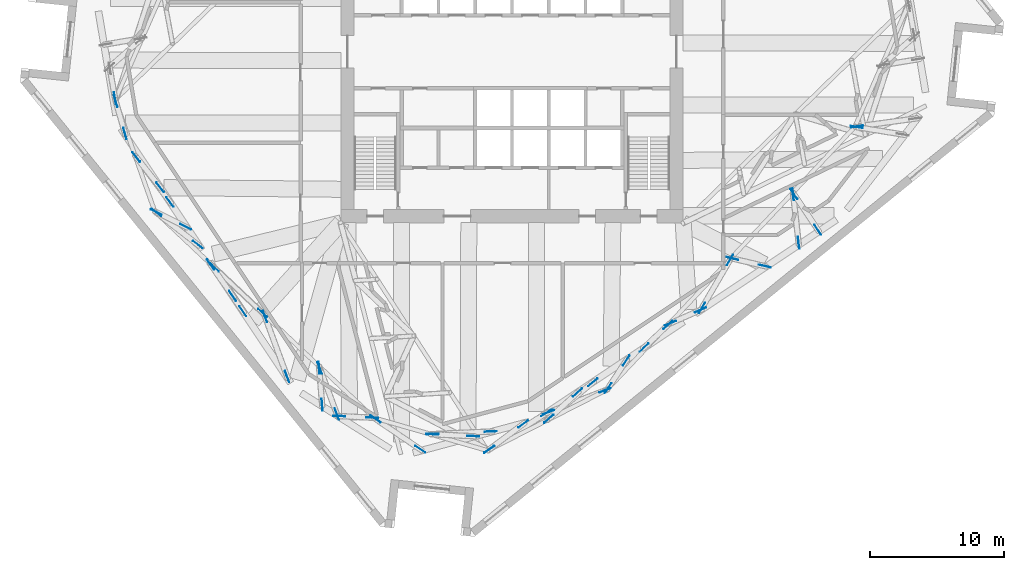
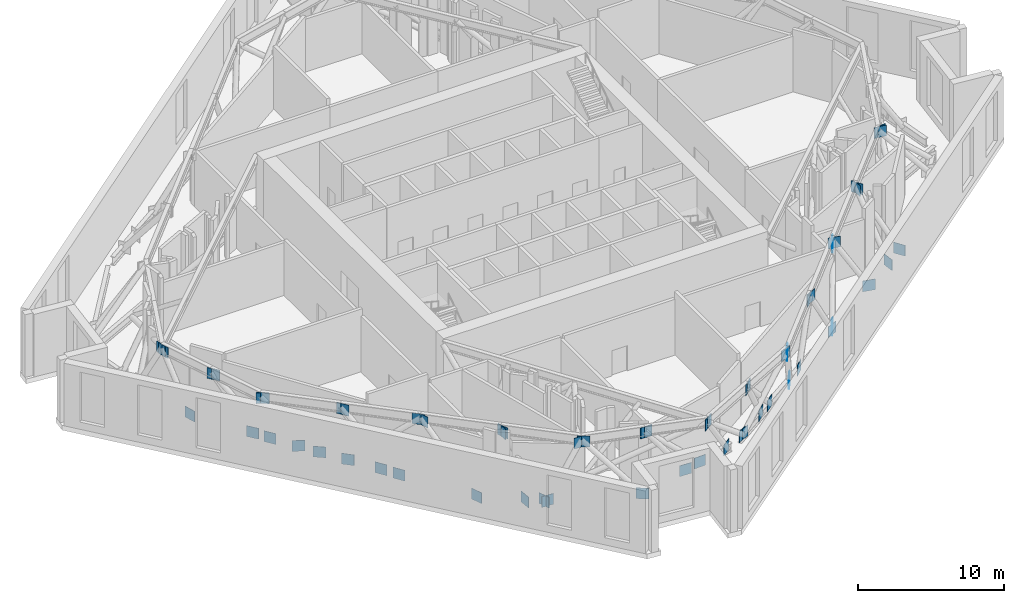
# One storey, part 13 of 17: 57 discrete accessories.
"""IFC4 building model written with IfcOpenShell, lengths in metres."""

from ifc_helpers import new_model, si_unit, direction, frame, origin, origin_2d, place, context, subcontext, project, spatial, rectangle, extrude, material, layer, layer_set, type_object, element, save


model = new_model("IFC4")

# Units and contexts
model_context = context("Model", 3, precision=1e-05, world=origin(), true_north=direction((0.0, 1.0)))
body_context = subcontext(model_context, "Body", "Model", "MODEL_VIEW")
ifc_project = project(units=[si_unit("LENGTHUNIT", "METRE"), si_unit("AREAUNIT", "SQUARE_METRE"), si_unit("VOLUMEUNIT", "CUBIC_METRE"), si_unit("PLANEANGLEUNIT", "RADIAN"), si_unit("MASSUNIT", "GRAM", prefix="KILO")], contexts=[model_context])

# Site, building, storey
site_placement = place(None, origin())
site = spatial("IfcSite", under=ifc_project, at=site_placement, CompositionType="ELEMENT")
building_placement = place(site_placement, origin())
building = spatial("IfcBuilding", under=site, at=building_placement, Name="Dilmun Exchange Tower", CompositionType="ELEMENT")
storey_placement = place(building_placement, frame((0.0, 0.0, 183.699951171875)))
storey = spatial("IfcBuildingStorey", under=building, at=storey_placement, Name="L43", CompositionType="ELEMENT", Elevation=183.699951171875)

# Discrete accessories
ifc_material = material(Name="Steel S355J2", Category="steel")
ifc_layer = layer(ifc_material, 0.034912109375)
ifc_layer_set = layer_set([ifc_layer], Name="Steel S355J2")
discrete_accessory_type = type_object("IfcDiscreteAccessoryType", Name="Gusset plate 35 x 900 x 900", PredefinedType="BRACKET", material=ifc_layer_set)
for number, where, z_axis, x_axis, name in (
    (1, (-29.62646484375, -3.695556640625, 4.171630859375), (0.0, 0.0, 1.0), (0.275872228128, -0.961194316331, 0.0), "Gusset plate L43-DG17 end 1"),
    (2, (-28.932373046875, -6.11376953125, 0.091552734375), (0.0, 0.0, 1.0), (0.275872228128, -0.961194316331, 0.0), "Gusset plate L43-DG17 end 2"),
    (3, (-29.678466796875, -3.470703125, 4.16845703125), (0.0, 0.0, 1.0), (-0.1713685676, 0.985206990454, 0.0), "Gusset plate L43-DG18 end 1"),
    (4, (-28.10205078125, -7.858642578125, 4.179443359375), (0.0, 0.0, 1.0), (0.619176184112, -0.785252095208, 0.0), "Gusset plate L43-DG19 end 1"),
    (5, (-26.306396484375, -10.1357421875, 0.083740234375), (0.0, 0.0, 1.0), (0.619176184112, -0.785252095208, 0.0), "Gusset plate L43-DG19 end 2"),
    (6, (-28.08642578125, -7.884521484375, 4.204833984375), (0.0, 0.0, 1.0), (0.600280644879, -0.799789439405, 0.0), "Gusset plate L43-DG20 end 1"),
    (7, (-25.572998046875, -11.2333984375, 0.058349609375), (0.0, 0.0, 1.0), (0.600280644879, -0.799789439405, 0.0), "Gusset plate L43-DG20 end 2"),
    (8, (-26.583984375, -12.025390625, 4.199462890625), (0.0, 0.0, 1.0), (0.790678888416, -0.612231080078, 0.0), "Gusset plate L43-DG21 end 1"),
    (9, (-23.502197265625, -14.41162109375, 0.063720703125), (0.0, 0.0, 1.0), (0.790678888416, -0.612231080078, 0.0), "Gusset plate L43-DG21 end 2"),
    (10, (-26.601806640625, -11.9833984375, 4.170654296875), (0.0, 0.0, 1.0), (0.893835163453, -0.448395696427, 0.0), "Gusset plate L43-DG22 end 1"),
    (11, (-24.392822265625, -13.09130859375, 0.092529296875), (0.0, 0.0, 1.0), (0.893835163453, -0.448395696427, 0.0), "Gusset plate L43-DG22 end 2"),
    (12, (-22.53857421875, -15.895263671875, 4.17919921875), (0.0, 0.0, 1.0), (0.573908077407, -0.818919726644, 0.0), "Gusset plate L43-DG23 end 1"),
    (13, (-20.879150390625, -18.262939453125, 0.083984375), (0.0, 0.0, 1.0), (0.573908077407, -0.818919726644, 0.0), "Gusset plate L43-DG23 end 2"),
    (14, (-22.521728515625, -15.921142578125, 4.20556640625), (0.0, 0.0, 1.0), (0.56804198545, -0.822999576407, 0.0), "Gusset plate L43-DG24 end 1"),
    (15, (-20.119384765625, -19.40185546875, 0.0576171875), (0.0, 0.0, 1.0), (0.56804198545, -0.822999576407, 0.0), "Gusset plate L43-DG24 end 2"),
    (16, (-18.46142578125, -19.80615234375, 4.215087890625), (0.0, 0.0, 1.0), (0.345630687122, -0.938370624071, 0.0), "Gusset plate L43-DG25 end 1"),
    (17, (-16.809814453125, -24.2900390625, 0.048095703125), (0.0, 0.0, 1.0), (0.345630687122, -0.938370624071, 0.0), "Gusset plate L43-DG25 end 2"),
    (18, (-18.645263671875, -19.52880859375, 4.21826171875), (0.0, 0.0, 1.0), (-0.727394401679, 0.686219632775, 0.0), "Gusset plate L43-DG26 end 1"),
    (19, (-22.256591796875, -16.1220703125, 0.044921875), (0.0, 0.0, 1.0), (-0.727394401679, 0.686219632775, 0.0), "Gusset plate L43-DG26 end 2"),
    (20, (-14.374267578125, -23.6455078125, 4.19482421875), (0.0, 0.0, 1.0), (0.349190328644, -0.937051820542, 0.0), "Gusset plate L43-DG27 end 1"),
    (21, (-13.0947265625, -27.0791015625, 0.068359375), (0.0, 0.0, 1.0), (0.349190328644, -0.937051820542, 0.0), "Gusset plate L43-DG27 end 2"),
    (22, (-14.41650390625, -23.630615234375, 4.176513671875), (0.0, 0.0, 1.0), (0.080395509697, -0.996763042062, 0.0), "Gusset plate L43-DG28 end 1"),
    (23, (-14.195068359375, -26.37451171875, 0.0869140625), (0.0, 0.0, 1.0), (0.080395509697, -0.996763042062, 0.0), "Gusset plate L43-DG28 end 2"),
    (24, (-10.202880859375, -27.4521484375, 4.201904296875), (0.0, 0.0, 1.0), (0.827698117123, -0.561173615659, 0.0), "Gusset plate L43-DG29 end 1"),
    (25, (-6.860595703125, -29.71826171875, 0.061279296875), (0.0, 0.0, 1.0), (0.827698117123, -0.561173615659, 0.0), "Gusset plate L43-DG29 end 2"),
    (26, (-10.44921875, -27.358154296875, 4.17041015625), (0.0, 0.0, 1.0), (-0.99876034904, 0.049777155247, 0.0), "Gusset plate L43-DG30 end 1"),
    (27, (-12.909423828125, -27.235595703125, 0.0927734375), (0.0, 0.0, 1.0), (-0.99876034904, 0.049777155247, 0.0), "Gusset plate L43-DG30 end 2"),
    (28, (-5.9453125, -28.597412109375, 4.182373046875), (0.0, 0.0, 1.0), (0.99890764425, -0.046728131337, 0.0), "Gusset plate L43-DG31 end 1"),
    (29, (-2.909912109375, -28.7392578125, 0.080810546875), (0.0, 0.0, 1.0), (0.99890764425, -0.046728131337, 0.0), "Gusset plate L43-DG31 end 2"),
    (30, (-5.916748046875, -28.583740234375, 4.20751953125), (0.0, 0.0, 1.0), (0.999001293957, 0.044681256389, 0.0), "Gusset plate L43-DG32 end 1"),
    (31, (-1.586181640625, -28.39013671875, 0.0556640625), (0.0, 0.0, 1.0), (0.999001293957, 0.044681256389, 0.0), "Gusset plate L43-DG32 end 2"),
    (32, (-1.714599609375, -29.735595703125, 4.185302734375), (0.0, 0.0, 1.0), (0.801173396402, 0.598432275949, 0.0), "Gusset plate L43-DG33 end 1"),
    (33, (0.838134765625, -27.82861328125, 0.077880859375), (0.0, 0.0, 1.0), (0.801173396402, 0.598432275949, 0.0), "Gusset plate L43-DG33 end 2"),
    (34, (-1.678955078125, -29.724609375, 4.2197265625), (0.0, 0.0, 1.0), (0.842464621112, 0.53875167023, 0.0), "Gusset plate L43-DG34 end 1"),
    (35, (2.573974609375, -27.0048828125, 0.04345703125), (0.0, 0.0, 1.0), (0.842464621112, 0.53875167023, 0.0), "Gusset plate L43-DG34 end 2"),
    (36, (2.740478515625, -27.449462890625, 4.179931640625), (0.0, 0.0, 1.0), (0.739233941895, 0.673448720505, 0.0), "Gusset plate L43-DG35 end 1"),
    (37, (4.902587890625, -25.479736328125, 0.083251953125), (0.0, 0.0, 1.0), (0.739233941895, 0.673448720505, 0.0), "Gusset plate L43-DG35 end 2"),
    (38, (2.767822265625, -27.4345703125, 4.2060546875), (0.0, 0.0, 1.0), (0.769404014469, 0.638762446078, 0.0), "Gusset plate L43-DG36 end 1"),
    (39, (6.040283203125, -24.718017578125, 0.05712890625), (0.0, 0.0, 1.0), (0.769404014469, 0.638762446078, 0.0), "Gusset plate L43-DG36 end 2"),
    (40, (6.958251953125, -25.31689453125, 4.211181640625), (0.0, 0.0, 1.0), (-0.932783157662, -0.360438040142, 0.0), "Gusset plate L43-DG37 end 1"),
    (41, (2.7216796875, -26.953857421875, 0.052001953125), (0.0, 0.0, 1.0), (-0.932783157662, -0.360438040142, 0.0), "Gusset plate L43-DG37 end 2"),
    (42, (7.17724609375, -25.1591796875, 4.1708984375), (0.0, 0.0, 1.0), (0.549292659796, 0.83563004607, 0.0), "Gusset plate L43-DG38 end 1"),
    (43, (8.54052734375, -23.08544921875, 0.09228515625), (0.0, 0.0, 1.0), (0.549292659796, 0.83563004607, 0.0), "Gusset plate L43-DG38 end 2"),
    (44, (11.84912109375, -20.298095703125, 4.17041015625), (0.0, 0.0, 1.0), (0.914307687206, 0.405020311979, 0.0), "Gusset plate L43-DG39 end 1"),
    (45, (14.095703125, -19.302734375, 0.0927734375), (0.0, 0.0, 1.0), (0.914307687206, 0.405020311979, 0.0), "Gusset plate L43-DG39 end 2"),
    (46, (11.65869140625, -20.4248046875, 4.17041015625), (0.0, 0.0, 1.0), (-0.725436841104, -0.688288739969, 0.0), "Gusset plate L43-DG40 end 1"),
    (47, (9.876220703125, -22.1162109375, 0.0927734375), (0.0, 0.0, 1.0), (-0.725436841104, -0.688288739969, 0.0), "Gusset plate L43-DG40 end 2"),
    (48, (16.291259765625, -15.572998046875, 4.20703125), (0.0, 0.0, 1.0), (-0.504514061567, -0.863403475602, 0.0), "Gusset plate L43-DG41 end 1"),
    (49, (14.198974609375, -19.1533203125, 0.209716796875), (0.0, 0.0, 1.0), (-0.504514061567, -0.863403475602, 0.0), "Gusset plate L43-DG41 end 2"),
    (50, (16.486572265625, -15.459716796875, 4.170654296875), (0.0, 0.0, 1.0), (0.973560566553, -0.228429033299, 0.0), "Gusset plate L43-DG42 end 1"),
    (51, (18.89501953125, -16.024658203125, 0.092529296875), (0.0, 0.0, 1.0), (0.973560566553, -0.228429033299, 0.0), "Gusset plate L43-DG42 end 2"),
    (52, (21.080078125, -10.636474609375, 4.18603515625), (0.0, 0.0, 1.0), (0.554673075686, -0.832068374059, 0.0), "Gusset plate L43-DG43 end 1"),
    (53, (22.86474609375, -13.31396484375, 0.0771484375), (0.0, 0.0, 1.0), (0.554673075686, -0.832068374059, 0.0), "Gusset plate L43-DG43 end 2"),
    (54, (21.019775390625, -10.668701171875, 4.1943359375), (0.0, 0.0, 1.0), (0.112192169195, -0.993686528625, 0.0), "Gusset plate L43-DG44 end 1"),
    (55, (21.427490234375, -14.280029296875, 0.06884765625), (0.0, 0.0, 1.0), (0.112192169195, -0.993686528625, 0.0), "Gusset plate L43-DG44 end 2"),
    (56, (25.795166015625, -5.5869140625, 4.20849609375), (0.0, 0.0, 1.0), (0.990874368365, 0.134788672067, 0.0), "Gusset plate L43-DG45 end 1"),
    (57, (25.776611328125, -5.632080078125, 4.19140625), (0.0, 0.0, 1.0), (0.98724208518, -0.159226459013, 0.0), "Gusset plate L43-DG46 end 1"),
):
    element("IfcDiscreteAccessory", number, at=place(storey_placement, frame(where, z_axis=z_axis, x_axis=x_axis)), inside=storey, type_object=discrete_accessory_type, Name=name, PredefinedType="BRACKET", context=body_context, shape_type="SweptSolid", body=[
        extrude(rectangle(XDim=0.89990234375, YDim=0.034912109375, at=origin_2d()), origin(), (0.0, 0.0, 1.0), 0.89990234375),
    ])

save(model, "model.ifc")
